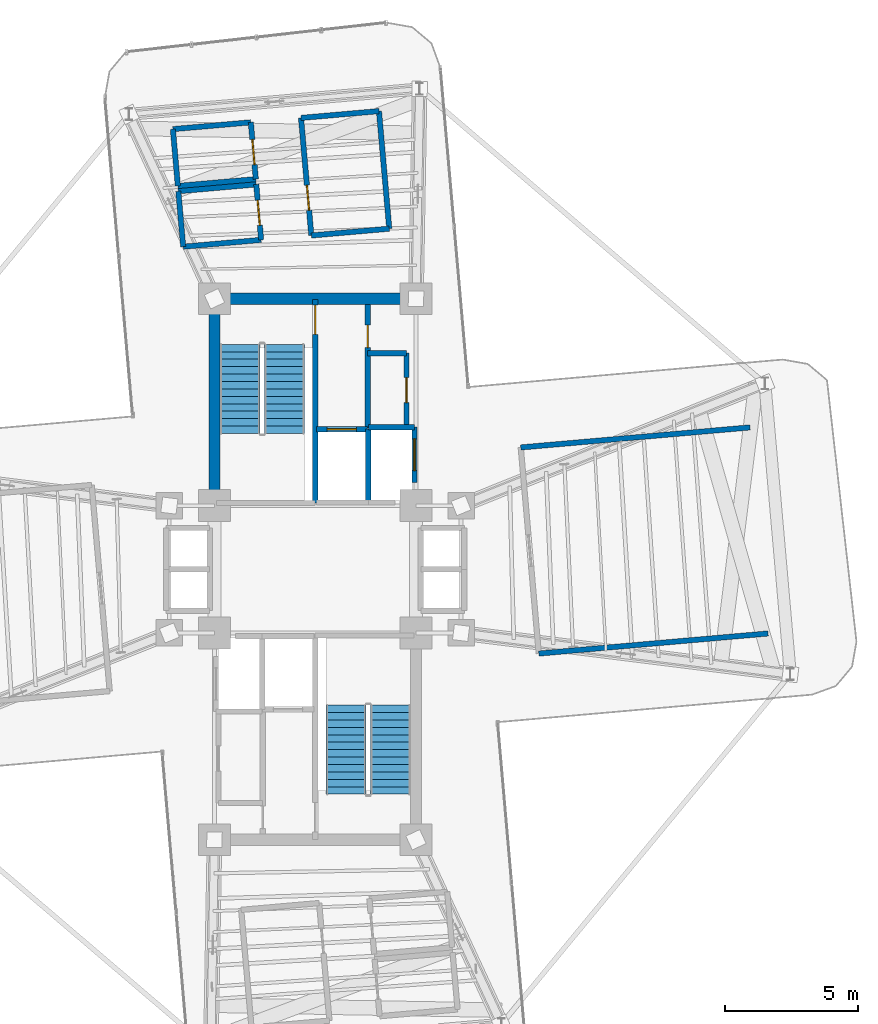
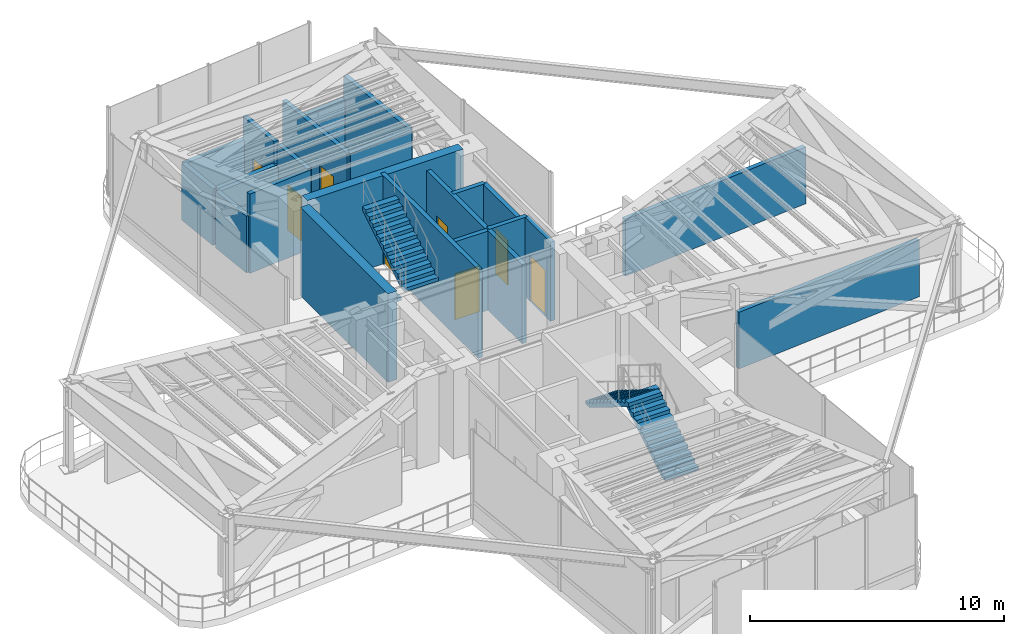
# One storey, part 15 of 17: 24 walls, 8 doors, 4 stair flights, 8 openings, 2 elements without a shape of their own.
"""IFC4 building model written with IfcOpenShell, lengths in metres."""

from ifc_helpers import new_model, si_unit, direction, frame, frame_2d, origin, origin_2d, place, context, subcontext, project, spatial, polyline, rectangle, outline, extrude, source, transform, mapped, material, layer, layer_set, type_object, element, fill, aggregate, save


model = new_model("IFC4")

# Units and contexts
model_context = context("Model", 3, precision=1e-05, world=origin(), true_north=direction((0.0, 1.0)))
body_context = subcontext(model_context, "Body", "Model", "MODEL_VIEW")
ifc_project = project(units=[si_unit("LENGTHUNIT", "METRE"), si_unit("AREAUNIT", "SQUARE_METRE"), si_unit("VOLUMEUNIT", "CUBIC_METRE"), si_unit("PLANEANGLEUNIT", "RADIAN"), si_unit("MASSUNIT", "GRAM", prefix="KILO")], contexts=[model_context])

# Site, building, storey
site_placement = place(None, origin())
site = spatial("IfcSite", under=ifc_project, at=site_placement, CompositionType="ELEMENT")
building_placement = place(site_placement, origin())
building = spatial("IfcBuilding", under=site, at=building_placement, Name="Sahyath Konkavel Grand Hotel", CompositionType="ELEMENT")
storey_placement = place(building_placement, frame((0.0, 0.0, 202.0)))
storey = spatial("IfcBuildingStorey", under=building, at=storey_placement, Name="L56", CompositionType="ELEMENT", Elevation=202.0)

# Walls
ifc_material_1 = material(Name="Concrete C50/60", Category="concrete")
ifc_layer_1 = layer(ifc_material_1, 0.419921875)
ifc_layer_set_1 = layer_set([ifc_layer_1], Name="Concrete C50/60")
wall_type_1 = type_object("IfcWallType", Name="CWALL-420", PredefinedType="SHEAR", material=ifc_layer_set_1)
wall_1_placement = place(storey_placement, frame((-3.550048828125, 10.199951171875, 0.0), z_axis=(0.0, 0.0, 1.0), x_axis=(1.0, 0.0, 0.0)))
element("IfcWall", 1, at=wall_1_placement, inside=storey, type_object=wall_type_1, Name="L56 North Core Shear Wall N", PredefinedType="SHEAR", context=body_context, shape_type="SweptSolid", body=[
    extrude(rectangle(XDim=7.10009765625, YDim=0.419921875, at=frame_2d((3.550048828125, 0.0))), origin(), (0.0, 0.0, 1.0), 4.260009765625),
])
wall_2_placement = place(storey_placement, frame((-3.800048828125, 2.85009765625, 0.0), z_axis=(0.0, 0.0, 1.0), x_axis=(0.0, 1.0, 0.0)))
element("IfcWall", 2, at=wall_2_placement, inside=storey, type_object=wall_type_1, Name="L56 North Core Shear Wall W", PredefinedType="SHEAR", context=body_context, shape_type="SweptSolid", body=[
    extrude(rectangle(XDim=6.89990234375, YDim=0.419921875, at=frame_2d((3.449951171875, 0.0))), origin(), (0.0, 0.0, 1.0), 4.260009765625),
])

# Wall, opening, door
ifc_material_2 = material(Name="Concrete C40/50", Category="concrete")
ifc_layer_2 = layer(ifc_material_2, 0.199951171875)
ifc_layer_set_2 = layer_set([ifc_layer_2], Name="Concrete C40/50")
wall_type_2 = type_object("IfcWallType", Name="WLL-CORE-200", PredefinedType="SOLIDWALL", material=ifc_layer_set_2)
wall_3_placement = place(storey_placement, frame((0.0, 2.5, 0.0), z_axis=(0.0, 0.0, 1.0), x_axis=(0.0, 1.0, 0.0)))
wall_3 = element("IfcWall", 3, at=wall_3_placement, inside=storey, type_object=wall_type_2, Name="L56 Stair ST-1 Shaft Wall E", PredefinedType="SOLIDWALL", context=body_context, shape_type="SweptSolid", body=[
    extrude(rectangle(XDim=7.679931640625, YDim=0.199951171875, at=frame_2d((3.83984375, 0.0))), origin(), (0.0, 0.0, 1.0), 4.260009765625),
])
opening_1_placement = place(wall_3_placement, frame((6.360107421875, 0.0, 0.0)))
opening_1 = element("IfcOpeningElement", 4, at=opening_1_placement, cuts=wall_3, Name="Opening D-F12B", PredefinedType="OPENING", context=body_context, shape_type="SweptSolid", body=[
    extrude(rectangle(XDim=1.10009765625, YDim=2.14990234375, at=frame_2d((0.550048828125, 1.074951171875))), frame((0.0, 0.10986328125, 0.0), z_axis=(0.0, -1.0, 0.0), x_axis=(1.0, 0.0, 0.0)), (0.0, 0.0, 1.0), 0.219970703125),
])
ifc_material_3 = material(Name="Steel E350 Smokeproof Fire Door", Category="steel")
door_type_1 = type_object("IfcDoorType", Name="DR-FD120-1100", OperationType="NOTDEFINED", PredefinedType="DOOR", material=ifc_material_3)
shared_shape_1 = source(origin(), body_context, "Body", "SweptSolid", [
    extrude(rectangle(XDim=1.10009765625, YDim=0.050048828125, at=origin_2d()), origin(), (0.0, 0.0, 1.0), 2.14990234375),
])
door_1_placement = place(opening_1_placement, frame((0.550048828125, 0.0, 0.0)))
door_1 = element("IfcDoor", 5, at=door_1_placement, inside=storey, type_object=door_type_1, Name="L56 Stair ST-1 Fire Door", OperationType="SINGLE_SWING_RIGHT", OverallHeight=2.14990234375, OverallWidth=1.10009765625, PredefinedType="DOOR", context=body_context, shape_type="MappedRepresentation", body=[
    mapped(shared_shape_1, transform((0.0, 0.0, 0.0), scale=1.0)),
])
fill(opening_1, door_1)

wall_4_placement = place(storey_placement, frame((1.97998046875, 5.320068359375, 0.0), z_axis=(0.0, 0.0, 1.0), x_axis=(0.0, 1.0, 0.0)))
wall_4 = element("IfcWall", 6, at=wall_4_placement, inside=storey, type_object=wall_type_2, Name="L56 North Firefighting Lobby Wall E", PredefinedType="SOLIDWALL", context=body_context, shape_type="SweptSolid", body=[
    extrude(rectangle(XDim=4.659912109375, YDim=0.199951171875, at=frame_2d((2.330078125, 0.0))), origin(), (0.0, 0.0, 1.0), 3.81005859375),
])
opening_2_placement = place(wall_4_placement, frame((3.0400390625, 0.0, 0.0)))
opening_2 = element("IfcOpeningElement", 7, at=opening_2_placement, cuts=wall_4, Name="Opening D-F12D", PredefinedType="OPENING", context=body_context, shape_type="SweptSolid", body=[
    extrude(rectangle(XDim=0.85009765625, YDim=2.10009765625, at=frame_2d((0.425048828125, 1.050048828125))), frame((0.0, 0.10986328125, 0.0), z_axis=(0.0, -1.0, 0.0), x_axis=(1.0, 0.0, 0.0)), (0.0, 0.0, 1.0), 0.219970703125),
])
ifc_material_4 = material(Name="Steel E350 Core Fire Door", Category="steel")
door_type_2 = type_object("IfcDoorType", Name="DR-FD120-850", OperationType="NOTDEFINED", PredefinedType="DOOR", material=ifc_material_4)
shared_shape_2 = source(origin(), body_context, "Body", "SweptSolid", [
    extrude(rectangle(XDim=0.85009765625, YDim=0.050048828125, at=origin_2d()), origin(), (0.0, 0.0, 1.0), 2.10009765625),
])
door_2_placement = place(opening_2_placement, frame((0.425048828125, 0.0, 0.0)))
door_2 = element("IfcDoor", 8, at=door_2_placement, inside=storey, type_object=door_type_2, Name="L56 North Firefighting Lobby Door", OperationType="SINGLE_SWING_RIGHT", OverallHeight=2.10009765625, OverallWidth=0.85009765625, PredefinedType="DOOR", context=body_context, shape_type="MappedRepresentation", body=[
    mapped(shared_shape_2, transform((0.0, 0.0, 0.0), scale=1.0)),
])
fill(opening_2, door_2)

# Wall
wall_5_placement = place(storey_placement, frame((2.0, 2.5, 0.0), z_axis=(0.0, 0.0, 1.0), x_axis=(0.0, 1.0, 0.0)))
element("IfcWall", 9, at=wall_5_placement, inside=storey, type_object=wall_type_2, Name="L56 Partition SH-FFL1-E", PredefinedType="SOLIDWALL", context=body_context, shape_type="SweptSolid", body=[
    extrude(rectangle(XDim=2.780029296875, YDim=0.199951171875, at=frame_2d((1.39013671875, 0.0))), origin(), (0.0, 0.0, 1.0), 3.81005859375),
])

# Wall, opening, door
wall_6_placement = place(storey_placement, frame((0.050048828125, 5.280029296875, 0.0), z_axis=(0.0, 0.0, 1.0), x_axis=(1.0, 0.0, 0.0)))
wall_6 = element("IfcWall", 10, at=wall_6_placement, inside=storey, type_object=wall_type_2, Name="L56 Partition SH-FFL1-N", PredefinedType="SOLIDWALL", context=body_context, shape_type="SweptSolid", body=[
    extrude(rectangle(XDim=1.929931640625, YDim=0.199951171875, at=frame_2d((0.96484375, 0.0))), origin(), (0.0, 0.0, 1.0), 3.81005859375),
])
opening_3_placement = place(wall_6_placement, frame((0.39990234375, 0.0, 0.0)))
opening_3 = element("IfcOpeningElement", 11, at=opening_3_placement, cuts=wall_6, Name="Opening LD-11", PredefinedType="OPENING", context=body_context, shape_type="SweptSolid", body=[
    extrude(rectangle(XDim=1.10009765625, YDim=2.199951171875, at=frame_2d((0.550048828125, 1.10009765625))), frame((0.0, 0.10986328125, 0.0), z_axis=(0.0, -1.0, 0.0), x_axis=(1.0, 0.0, 0.0)), (0.0, 0.0, 1.0), 0.219970703125),
])
ifc_material_5 = material(Name="Bronze Lift Landing Door 1100")
door_type_3 = type_object("IfcDoorType", Name="DR-LIFT-1100", OperationType="DOUBLE_DOOR_SLIDING", PredefinedType="DOOR", material=ifc_material_5)
shared_shape_3 = source(origin(), body_context, "Body", "SweptSolid", [
    extrude(rectangle(XDim=1.10009765625, YDim=0.050048828125, at=origin_2d()), origin(), (0.0, 0.0, 1.0), 2.199951171875),
])
door_3_placement = place(opening_3_placement, frame((0.550048828125, 0.0, 0.0)))
door_3 = element("IfcDoor", 12, at=door_3_placement, inside=storey, type_object=door_type_3, Name="L56 Lift FFL-1 Landing Door", OperationType="DOUBLE_DOOR_SLIDING", OverallHeight=2.199951171875, OverallWidth=1.10009765625, PredefinedType="DOOR", context=body_context, shape_type="MappedRepresentation", body=[
    mapped(shared_shape_3, transform((0.0, 0.0, 0.0), scale=1.0)),
])
fill(opening_3, door_3)

# Wall
wall_7_placement = place(storey_placement, frame((2.0, 5.360107421875, 0.0), z_axis=(0.0, 0.0, 1.0), x_axis=(1.0, 0.0, 0.0)))
element("IfcWall", 13, at=wall_7_placement, inside=storey, type_object=wall_type_2, Name="L56 Partition SH-SVL1-N", PredefinedType="SOLIDWALL", context=body_context, shape_type="SweptSolid", body=[
    extrude(rectangle(XDim=1.739990234375, YDim=0.199951171875, at=frame_2d((0.8701171875, 0.0))), origin(), (0.0, 0.0, 1.0), 3.81005859375),
])

# Wall, opening, door
wall_8_placement = place(storey_placement, frame((3.739990234375, 3.280029296875, 0.0), z_axis=(0.0, 0.0, 1.0), x_axis=(0.0, 1.0, 0.0)))
wall_8 = element("IfcWall", 14, at=wall_8_placement, inside=storey, type_object=wall_type_2, Name="L56 Partition SH-SVL1-E", PredefinedType="SOLIDWALL", context=body_context, shape_type="SweptSolid", body=[
    extrude(rectangle(XDim=2.080078125, YDim=0.199951171875, at=frame_2d((1.0400390625, 0.0))), origin(), (0.0, 0.0, 1.0), 3.81005859375),
])
opening_4_placement = place(wall_8_placement, frame((0.43994140625, 0.0, 0.0)))
opening_4 = element("IfcOpeningElement", 15, at=opening_4_placement, cuts=wall_8, Name="Opening LD-12", PredefinedType="OPENING", context=body_context, shape_type="SweptSolid", body=[
    extrude(rectangle(XDim=1.199951171875, YDim=2.199951171875, at=frame_2d((0.60009765625, 1.10009765625))), frame((0.0, 0.10986328125, 0.0), z_axis=(0.0, -1.0, 0.0), x_axis=(1.0, 0.0, 0.0)), (0.0, 0.0, 1.0), 0.219970703125),
])
ifc_material_6 = material(Name="Stainless Steel Lift Landing Door 1200", Category="steel")
door_type_4 = type_object("IfcDoorType", Name="DR-LIFT-1200", OperationType="DOUBLE_DOOR_SLIDING", PredefinedType="DOOR", material=ifc_material_6)
shared_shape_4 = source(origin(), body_context, "Body", "SweptSolid", [
    extrude(rectangle(XDim=1.199951171875, YDim=0.050048828125, at=origin_2d()), origin(), (0.0, 0.0, 1.0), 2.199951171875),
])
door_4_placement = place(opening_4_placement, frame((0.60009765625, 0.0, 0.0)))
door_4 = element("IfcDoor", 16, at=door_4_placement, inside=storey, type_object=door_type_4, Name="L56 Service Lift SVL-1 Landing Door", OperationType="DOUBLE_DOOR_SLIDING", OverallHeight=2.199951171875, OverallWidth=1.199951171875, PredefinedType="DOOR", context=body_context, shape_type="MappedRepresentation", body=[
    mapped(shared_shape_4, transform((0.0, 0.0, 0.0), scale=1.0)),
])
fill(opening_4, door_4)

wall_9_placement = place(storey_placement, frame((3.43994140625, 5.3798828125, 0.0), z_axis=(0.0, 0.0, 1.0), x_axis=(0.0, 1.0, 0.0)))
wall_9 = element("IfcWall", 17, at=wall_9_placement, inside=storey, type_object=wall_type_2, Name="L56 Reclaimed North Core Wall E", PredefinedType="SOLIDWALL", context=body_context, shape_type="SweptSolid", body=[
    extrude(rectangle(XDim=2.77001953125, YDim=0.199951171875, at=frame_2d((1.385009765625, 0.0))), origin(), (0.0, 0.0, 1.0), 3.81005859375),
])
opening_5_placement = place(wall_9_placement, frame((0.89990234375, 0.0, 0.0)))
opening_5 = element("IfcOpeningElement", 18, at=opening_5_placement, cuts=wall_9, Name="Opening D-F06B", PredefinedType="OPENING", context=body_context, shape_type="SweptSolid", body=[
    extrude(rectangle(XDim=0.949951171875, YDim=2.14990234375, at=frame_2d((0.47509765625, 1.074951171875))), frame((0.0, 0.10986328125, 0.0), z_axis=(0.0, -1.0, 0.0), x_axis=(1.0, 0.0, 0.0)), (0.0, 0.0, 1.0), 0.219970703125),
])
ifc_material_7 = material(Name="Teak Veneer Fire-Rated Guest Entrance Door")
door_type_5 = type_object("IfcDoorType", Name="DR-FD60-950", OperationType="NOTDEFINED", PredefinedType="DOOR", material=ifc_material_7)
shared_shape_5 = source(origin(), body_context, "Body", "SweptSolid", [
    extrude(rectangle(XDim=0.949951171875, YDim=0.050048828125, at=origin_2d()), origin(), (0.0, 0.0, 1.0), 2.14990234375),
])
door_5_placement = place(opening_5_placement, frame((0.47509765625, 0.0, 0.0)))
door_5 = element("IfcDoor", 19, at=door_5_placement, inside=storey, type_object=door_type_5, Name="L56 Door NC-REC1-D", OperationType="SINGLE_SWING_RIGHT", OverallHeight=2.14990234375, OverallWidth=0.949951171875, PredefinedType="DOOR", context=body_context, shape_type="MappedRepresentation", body=[
    mapped(shared_shape_5, transform((0.0, 0.0, 0.0), scale=1.0)),
])
fill(opening_5, door_5)

# Walls
wall_10_placement = place(storey_placement, frame((1.97998046875, 8.14990234375, 0.0), z_axis=(0.0, 0.0, 1.0), x_axis=(1.0, 0.0, 0.0)))
element("IfcWall", 20, at=wall_10_placement, inside=storey, type_object=wall_type_2, Name="L56 Partition NC-REC-N", PredefinedType="SOLIDWALL", context=body_context, shape_type="SweptSolid", body=[
    extrude(rectangle(XDim=1.4599609375, YDim=0.199951171875, at=frame_2d((0.72998046875, 0.0))), origin(), (0.0, 0.0, 1.0), 3.81005859375),
])
for number, where, z_axis, x_axis, name in (
    (21, (7.749267578125, 4.593017578125, 0.0), (0.0, 0.0, 1.0), (0.996196342623, 0.087136943629, 0.0), "L56 Partition REF-E-N"),
    (22, (8.428955078125, -3.177490234375, 0.0), (0.0, 0.0, 1.0), (0.996193900673, 0.087164856801, 0.0), "L56 Partition REF-E-S"),
):
    element("IfcWall", number, at=place(storey_placement, frame(where, z_axis=z_axis, x_axis=x_axis)), inside=storey, type_object=wall_type_2, Name=name, PredefinedType="SOLIDWALL", context=body_context, shape_type="SweptSolid", body=[
        extrude(rectangle(XDim=8.679931640625, YDim=0.199951171875, at=frame_2d((4.33984375, 0.0))), origin(), (0.0, 0.0, 1.0), 2.72998046875),
    ])

# Wall, opening, door
wall_11_placement = place(storey_placement, frame((-2.040283203125, 12.41943359375, 0.0), z_axis=(0.0, 0.0, 1.0), x_axis=(-0.08707609357, 0.996201663283, 0.0)))
wall_11 = element("IfcWall", 23, at=wall_11_placement, inside=storey, type_object=wall_type_2, Name="L56 Partition PL-AHU-C", PredefinedType="SOLIDWALL", context=body_context, shape_type="SweptSolid", body=[
    extrude(rectangle(XDim=2.10009765625, YDim=0.199951171875, at=frame_2d((1.050048828125, 0.0))), origin(), (0.0, 0.0, 1.0), 3.81005859375),
])
opening_6_placement = place(wall_11_placement, frame((0.550048828125, 0.0, 0.0)))
opening_6 = element("IfcOpeningElement", 24, at=opening_6_placement, cuts=wall_11, Name="Opening D-F12C", PredefinedType="OPENING", context=body_context, shape_type="SweptSolid", body=[
    extrude(rectangle(XDim=0.949951171875, YDim=2.14990234375, at=frame_2d((0.47509765625, 1.074951171875))), frame((0.0, 0.10986328125, 0.0), z_axis=(0.0, -1.0, 0.0), x_axis=(1.0, 0.0, 0.0)), (0.0, 0.0, 1.0), 0.219970703125),
])
ifc_material_8 = material(Name="Steel E350 Plant Fire Door", Category="steel")
door_type_6 = type_object("IfcDoorType", Name="DR-FD120-950", OperationType="NOTDEFINED", PredefinedType="DOOR", material=ifc_material_8)
door_6_placement = place(opening_6_placement, frame((0.47509765625, 0.0, 0.0)))
door_6 = element("IfcDoor", 25, at=door_6_placement, inside=storey, type_object=door_type_6, Name="L56 Door PL-AHU-D", OperationType="SINGLE_SWING_RIGHT", OverallHeight=2.14990234375, OverallWidth=0.949951171875, PredefinedType="DOOR", context=body_context, shape_type="MappedRepresentation", body=[
    mapped(shared_shape_5, transform((0.0, 0.0, 0.0), scale=1.0)),
])
fill(opening_6, door_6)

# Walls
wall_12_placement = place(storey_placement, frame((-4.97900390625, 12.162353515625, 0.0), z_axis=(0.0, 0.0, 1.0), x_axis=(-0.087191466799, 0.996191571997, 0.0)))
element("IfcWall", 26, at=wall_12_placement, inside=storey, type_object=wall_type_2, Name="L56 Partition PL-AHU-O", PredefinedType="SOLIDWALL", context=body_context, shape_type="SweptSolid", body=[
    extrude(rectangle(XDim=2.10009765625, YDim=0.199951171875, at=frame_2d((1.050048828125, 0.0))), origin(), (0.0, 0.0, 1.0), 2.72998046875),
])
wall_13_placement = place(storey_placement, frame((-2.040283203125, 12.41943359375, 0.0), z_axis=(0.0, 0.0, 1.0), x_axis=(-0.996195424117, -0.087147443848, 0.0)))
element("IfcWall", 27, at=wall_13_placement, inside=storey, type_object=wall_type_2, Name="L56 Partition PL-AHU-A", PredefinedType="SOLIDWALL", context=body_context, shape_type="SweptSolid", body=[
    extrude(rectangle(XDim=2.949951171875, YDim=0.199951171875, at=frame_2d((1.47509765625, 0.0))), origin(), (0.0, 0.0, 1.0), 3.81005859375),
])
wall_14_placement = place(storey_placement, frame((-2.22314453125, 14.511474609375, 0.0), z_axis=(0.0, 0.0, 1.0), x_axis=(-0.996196052583, -0.087140259459, 0.0)))
element("IfcWall", 28, at=wall_14_placement, inside=storey, type_object=wall_type_2, Name="L56 Partition PL-AHU-B", PredefinedType="SOLIDWALL", context=body_context, shape_type="SweptSolid", body=[
    extrude(rectangle(XDim=2.9501953125, YDim=0.199951171875, at=frame_2d((1.47509765625, 0.0))), origin(), (0.0, 0.0, 1.0), 2.72998046875),
])

# Wall, opening, door
wall_15_placement = place(storey_placement, frame((-2.240478515625, 14.710693359375, 0.0), z_axis=(0.0, 0.0, 1.0), x_axis=(-0.087207799987, 0.996190142303, 0.0)))
wall_15 = element("IfcWall", 29, at=wall_15_placement, inside=storey, type_object=wall_type_2, Name="L56 Partition PL-TNK-C", PredefinedType="SOLIDWALL", context=body_context, shape_type="SweptSolid", body=[
    extrude(rectangle(XDim=2.150146484375, YDim=0.199951171875, at=frame_2d((1.0751953125, 0.0))), origin(), (0.0, 0.0, 1.0), 3.81005859375),
])
opening_7_placement = place(wall_15_placement, frame((0.550048828125, 0.0, 0.0)))
opening_7 = element("IfcOpeningElement", 30, at=opening_7_placement, cuts=wall_15, Name="Opening D-F12C", PredefinedType="OPENING", context=body_context, shape_type="SweptSolid", body=[
    extrude(rectangle(XDim=0.949951171875, YDim=2.14990234375, at=frame_2d((0.47509765625, 1.074951171875))), frame((0.0, 0.10986328125, 0.0), z_axis=(0.0, -1.0, 0.0), x_axis=(1.0, 0.0, 0.0)), (0.0, 0.0, 1.0), 0.219970703125),
])
door_7_placement = place(opening_7_placement, frame((0.47509765625, 0.0, 0.0)))
door_7 = element("IfcDoor", 31, at=door_7_placement, inside=storey, type_object=door_type_6, Name="L56 Door PL-TNK-D", OperationType="SINGLE_SWING_LEFT", OverallHeight=2.14990234375, OverallWidth=0.949951171875, PredefinedType="DOOR", context=body_context, shape_type="MappedRepresentation", body=[
    mapped(shared_shape_5, transform((0.0, 0.0, 0.0), scale=1.0)),
])
fill(opening_7, door_7)

# Walls
wall_16_placement = place(storey_placement, frame((-5.179443359375, 14.45361328125, 0.0), z_axis=(0.0, 0.0, 1.0), x_axis=(-0.087095110076, 0.996200000904, 0.0)))
element("IfcWall", 32, at=wall_16_placement, inside=storey, type_object=wall_type_2, Name="L56 Partition PL-TNK-O", PredefinedType="SOLIDWALL", context=body_context, shape_type="SweptSolid", body=[
    extrude(rectangle(XDim=2.14990234375, YDim=0.199951171875, at=frame_2d((1.074951171875, 0.0))), origin(), (0.0, 0.0, 1.0), 2.72998046875),
])
wall_17_placement = place(storey_placement, frame((-2.240478515625, 14.710693359375, 0.0), z_axis=(0.0, 0.0, 1.0), x_axis=(-0.996196052583, -0.087140259459, 0.0)))
element("IfcWall", 33, at=wall_17_placement, inside=storey, type_object=wall_type_2, Name="L56 Partition PL-TNK-A", PredefinedType="SOLIDWALL", context=body_context, shape_type="SweptSolid", body=[
    extrude(rectangle(XDim=2.9501953125, YDim=0.199951171875, at=frame_2d((1.47509765625, 0.0))), origin(), (0.0, 0.0, 1.0), 2.72998046875),
])
wall_18_placement = place(storey_placement, frame((-2.427978515625, 16.8525390625, 0.0), z_axis=(0.0, 0.0, 1.0), x_axis=(-0.996195424117, -0.087147443848, 0.0)))
element("IfcWall", 34, at=wall_18_placement, inside=storey, type_object=wall_type_2, Name="L56 Partition PL-TNK-B", PredefinedType="SOLIDWALL", context=body_context, shape_type="SweptSolid", body=[
    extrude(rectangle(XDim=2.949951171875, YDim=0.199951171875, at=frame_2d((1.47509765625, 0.0))), origin(), (0.0, 0.0, 1.0), 2.72998046875),
])

# Wall, opening, door
wall_19_placement = place(storey_placement, frame((-0.1474609375, 12.5849609375, 0.0), z_axis=(0.0, 0.0, 1.0), x_axis=(-0.087176478262, 0.996192883752, 0.0)))
wall_19 = element("IfcWall", 35, at=wall_19_placement, inside=storey, type_object=wall_type_2, Name="L56 Partition PL-PRS-C", PredefinedType="SOLIDWALL", context=body_context, shape_type="SweptSolid", body=[
    extrude(rectangle(XDim=4.449951171875, YDim=0.199951171875, at=frame_2d((2.22509765625, 0.0))), origin(), (0.0, 0.0, 1.0), 3.81005859375),
])
opening_8_placement = place(wall_19_placement, frame((0.949951171875, 0.0, 0.0)))
opening_8 = element("IfcOpeningElement", 36, at=opening_8_placement, cuts=wall_19, Name="Opening D-F12C", PredefinedType="OPENING", context=body_context, shape_type="SweptSolid", body=[
    extrude(rectangle(XDim=0.949951171875, YDim=2.14990234375, at=frame_2d((0.47509765625, 1.074951171875))), frame((0.0, 0.10986328125, 0.0), z_axis=(0.0, -1.0, 0.0), x_axis=(1.0, 0.0, 0.0)), (0.0, 0.0, 1.0), 0.219970703125),
])
door_8_placement = place(opening_8_placement, frame((0.47509765625, 0.0, 0.0)))
door_8 = element("IfcDoor", 37, at=door_8_placement, inside=storey, type_object=door_type_6, Name="L56 Door PL-PRS-D", OperationType="SINGLE_SWING_RIGHT", OverallHeight=2.14990234375, OverallWidth=0.949951171875, PredefinedType="DOOR", context=body_context, shape_type="MappedRepresentation", body=[
    mapped(shared_shape_5, transform((0.0, 0.0, 0.0), scale=1.0)),
])
fill(opening_8, door_8)

# Walls
wall_20_placement = place(storey_placement, frame((2.79150390625, 12.84228515625, 0.0), z_axis=(0.0, 0.0, 1.0), x_axis=(-0.087181243031, 0.996192466777, 0.0)))
element("IfcWall", 38, at=wall_20_placement, inside=storey, type_object=wall_type_2, Name="L56 Partition PL-PRS-O", PredefinedType="SOLIDWALL", context=body_context, shape_type="SweptSolid", body=[
    extrude(rectangle(XDim=4.44970703125, YDim=0.199951171875, at=frame_2d((2.224853515625, 0.0))), origin(), (0.0, 0.0, 1.0), 3.81005859375),
])
wall_21_placement = place(storey_placement, frame((2.79150390625, 12.84228515625, 0.0), z_axis=(0.0, 0.0, 1.0), x_axis=(-0.996188865451, -0.087222384465, 0.0)))
element("IfcWall", 39, at=wall_21_placement, inside=storey, type_object=wall_type_2, Name="L56 Partition PL-PRS-A", PredefinedType="SOLIDWALL", context=body_context, shape_type="SweptSolid", body=[
    extrude(rectangle(XDim=2.9501953125, YDim=0.199951171875, at=frame_2d((1.47509765625, 0.0))), origin(), (0.0, 0.0, 1.0), 3.81005859375),
])
wall_22_placement = place(storey_placement, frame((2.403564453125, 17.275146484375, 0.0), z_axis=(0.0, 0.0, 1.0), x_axis=(-0.996196052583, -0.087140259459, 0.0)))
element("IfcWall", 40, at=wall_22_placement, inside=storey, type_object=wall_type_2, Name="L56 Partition PL-PRS-B", PredefinedType="SOLIDWALL", context=body_context, shape_type="SweptSolid", body=[
    extrude(rectangle(XDim=2.9501953125, YDim=0.199951171875, at=frame_2d((1.47509765625, 0.0))), origin(), (0.0, 0.0, 1.0), 2.72998046875),
])

# Stair, stair flights
stair_type = type_object("IfcStairType", Name="STR-ST16-450", PredefinedType="HALF_TURN_STAIR", material=ifc_material_2)
stair_1_placement = place(storey_placement, origin())
stair_1 = element("IfcStair", 41, at=stair_1_placement, inside=storey, type_object=stair_type, Name="L56 North Core Smokeproof Exit Stair ST-1", PredefinedType="HALF_TURN_STAIR")
stair_flight_type = type_object("IfcStairFlightType", Name="STF-ST16-450", PredefinedType="STRAIGHT", material=ifc_material_2)
stair_flight_1_placement = place(storey_placement, frame((-2.840087890625, 8.47998046875, 0.0), z_axis=(0.0, 0.0, 1.0), x_axis=(0.0, -1.0, 0.0)))
stair_flight_1 = element("IfcStairFlight", 42, at=stair_flight_1_placement, type_object=stair_flight_type, Name="ST-1 flight 1", NumberOfRisers=13, NumberOfTreads=12, PredefinedType="STRAIGHT", RiserHeight=0.173076923, TreadLength=0.28, context=body_context, shape_type="SweptSolid", body=[
    extrude(outline(polyline([(0.0, 0.0), (0.0, 0.173095703125), (0.280029296875, 0.173095703125), (0.280029296875, 0.34619140625), (0.56005859375, 0.34619140625), (0.56005859375, 0.519287109375), (0.840087890625, 0.519287109375), (0.840087890625, 0.6923828125), (1.1201171875, 0.6923828125), (1.1201171875, 0.865478515625), (1.39990234375, 0.865478515625), (1.39990234375, 1.03857421875), (1.679931640625, 1.03857421875), (1.679931640625, 1.21142578125), (1.9599609375, 1.21142578125), (1.9599609375, 1.384521484375), (2.239990234375, 1.384521484375), (2.239990234375, 1.5576171875), (2.52001953125, 1.5576171875), (2.52001953125, 1.730712890625), (2.800048828125, 1.730712890625), (2.800048828125, 1.90380859375), (3.080078125, 1.90380859375), (3.080078125, 2.076904296875), (3.360107421875, 2.076904296875), (3.360107421875, 2.25), (3.360107421875, 1.900634765625), (0.28515625, 0.0), (0.0, 0.0)])), frame((0.0, 0.760009765625, 0.0), z_axis=(0.0, -1.0, 0.0), x_axis=(1.0, 0.0, 0.0)), (0.0, 0.0, 1.0), 1.52001953125),
])
stair_flight_2_placement = place(storey_placement, frame((-1.159912109375, 5.1201171875, 2.25), z_axis=(0.0, 0.0, 1.0), x_axis=(0.0, 1.0, 0.0)))
stair_flight_2 = element("IfcStairFlight", 43, at=stair_flight_2_placement, type_object=stair_flight_type, Name="ST-1 flight 2", NumberOfRisers=13, NumberOfTreads=12, PredefinedType="STRAIGHT", RiserHeight=0.173076923, TreadLength=0.28, context=body_context, shape_type="SweptSolid", body=[
    extrude(outline(polyline([(0.0, 0.0), (0.0, 0.173095703125), (0.280029296875, 0.173095703125), (0.280029296875, 0.34619140625), (0.56005859375, 0.34619140625), (0.56005859375, 0.519287109375), (0.840087890625, 0.519287109375), (0.840087890625, 0.6923828125), (1.1201171875, 0.6923828125), (1.1201171875, 0.865478515625), (1.39990234375, 0.865478515625), (1.39990234375, 1.03857421875), (1.679931640625, 1.03857421875), (1.679931640625, 1.21142578125), (1.9599609375, 1.21142578125), (1.9599609375, 1.384521484375), (2.239990234375, 1.384521484375), (2.239990234375, 1.5576171875), (2.52001953125, 1.5576171875), (2.52001953125, 1.730712890625), (2.800048828125, 1.730712890625), (2.800048828125, 1.90380859375), (3.080078125, 1.90380859375), (3.080078125, 2.076904296875), (3.360107421875, 2.076904296875), (3.360107421875, 2.25), (3.360107421875, 1.900634765625), (0.28515625, 0.0), (0.0, 0.0)])), frame((0.0, 0.760009765625, 0.0), z_axis=(0.0, -1.0, 0.0), x_axis=(1.0, 0.0, 0.0)), (0.0, 0.0, 1.0), 1.52001953125),
])
aggregate(stair_1, [stair_flight_1, stair_flight_2])

stair_2_placement = place(storey_placement, origin())
stair_2 = element("IfcStair", 44, at=stair_2_placement, inside=storey, type_object=stair_type, Name="L56 South Core Smokeproof Exit Stair ST-2", PredefinedType="HALF_TURN_STAIR")
stair_flight_3_placement = place(storey_placement, frame((2.840087890625, -8.47998046875, 0.0), z_axis=(0.0, 0.0, 1.0), x_axis=(0.0, 1.0, 0.0)))
stair_flight_3 = element("IfcStairFlight", 45, at=stair_flight_3_placement, type_object=stair_flight_type, Name="ST-2 flight 1", NumberOfRisers=13, NumberOfTreads=12, PredefinedType="STRAIGHT", RiserHeight=0.173076923, TreadLength=0.28, context=body_context, shape_type="SweptSolid", body=[
    extrude(outline(polyline([(0.0, 0.0), (0.0, 0.173095703125), (0.280029296875, 0.173095703125), (0.280029296875, 0.34619140625), (0.56005859375, 0.34619140625), (0.56005859375, 0.519287109375), (0.840087890625, 0.519287109375), (0.840087890625, 0.6923828125), (1.1201171875, 0.6923828125), (1.1201171875, 0.865478515625), (1.39990234375, 0.865478515625), (1.39990234375, 1.03857421875), (1.679931640625, 1.03857421875), (1.679931640625, 1.21142578125), (1.9599609375, 1.21142578125), (1.9599609375, 1.384521484375), (2.239990234375, 1.384521484375), (2.239990234375, 1.5576171875), (2.52001953125, 1.5576171875), (2.52001953125, 1.730712890625), (2.800048828125, 1.730712890625), (2.800048828125, 1.90380859375), (3.080078125, 1.90380859375), (3.080078125, 2.076904296875), (3.360107421875, 2.076904296875), (3.360107421875, 2.25), (3.360107421875, 1.900634765625), (0.28515625, 0.0), (0.0, 0.0)])), frame((0.0, 0.760009765625, 0.0), z_axis=(0.0, -1.0, 0.0), x_axis=(1.0, 0.0, 0.0)), (0.0, 0.0, 1.0), 1.52001953125),
])
stair_flight_4_placement = place(storey_placement, frame((1.159912109375, -5.1201171875, 2.25), z_axis=(0.0, 0.0, 1.0), x_axis=(0.0, -1.0, 0.0)))
stair_flight_4 = element("IfcStairFlight", 46, at=stair_flight_4_placement, type_object=stair_flight_type, Name="ST-2 flight 2", NumberOfRisers=13, NumberOfTreads=12, PredefinedType="STRAIGHT", RiserHeight=0.173076923, TreadLength=0.28, context=body_context, shape_type="SweptSolid", body=[
    extrude(outline(polyline([(0.0, 0.0), (0.0, 0.173095703125), (0.280029296875, 0.173095703125), (0.280029296875, 0.34619140625), (0.56005859375, 0.34619140625), (0.56005859375, 0.519287109375), (0.840087890625, 0.519287109375), (0.840087890625, 0.6923828125), (1.1201171875, 0.6923828125), (1.1201171875, 0.865478515625), (1.39990234375, 0.865478515625), (1.39990234375, 1.03857421875), (1.679931640625, 1.03857421875), (1.679931640625, 1.21142578125), (1.9599609375, 1.21142578125), (1.9599609375, 1.384521484375), (2.239990234375, 1.384521484375), (2.239990234375, 1.5576171875), (2.52001953125, 1.5576171875), (2.52001953125, 1.730712890625), (2.800048828125, 1.730712890625), (2.800048828125, 1.90380859375), (3.080078125, 1.90380859375), (3.080078125, 2.076904296875), (3.360107421875, 2.076904296875), (3.360107421875, 2.25), (3.360107421875, 1.900634765625), (0.28515625, 0.0), (0.0, 0.0)])), frame((0.0, 0.760009765625, 0.0), z_axis=(0.0, -1.0, 0.0), x_axis=(1.0, 0.0, 0.0)), (0.0, 0.0, 1.0), 1.52001953125),
])
aggregate(stair_2, [stair_flight_3, stair_flight_4])

save(model, "model.ifc")
